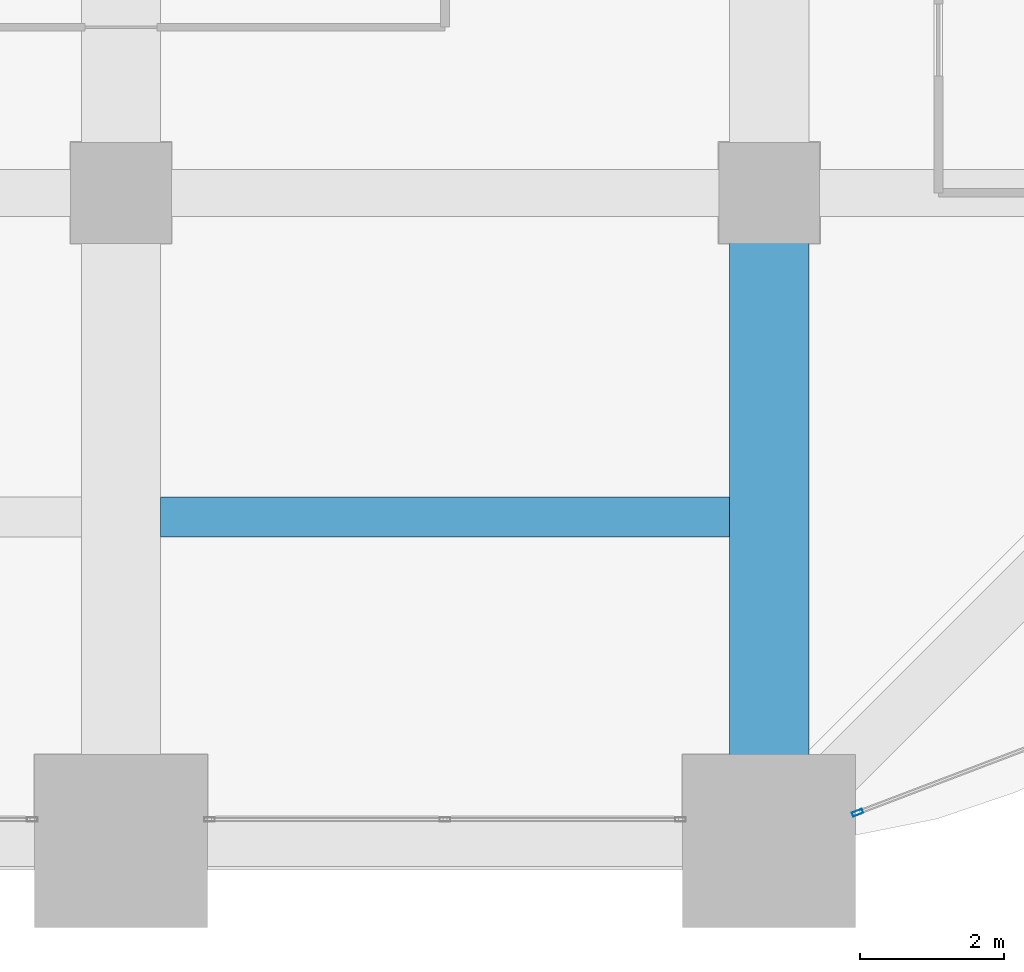
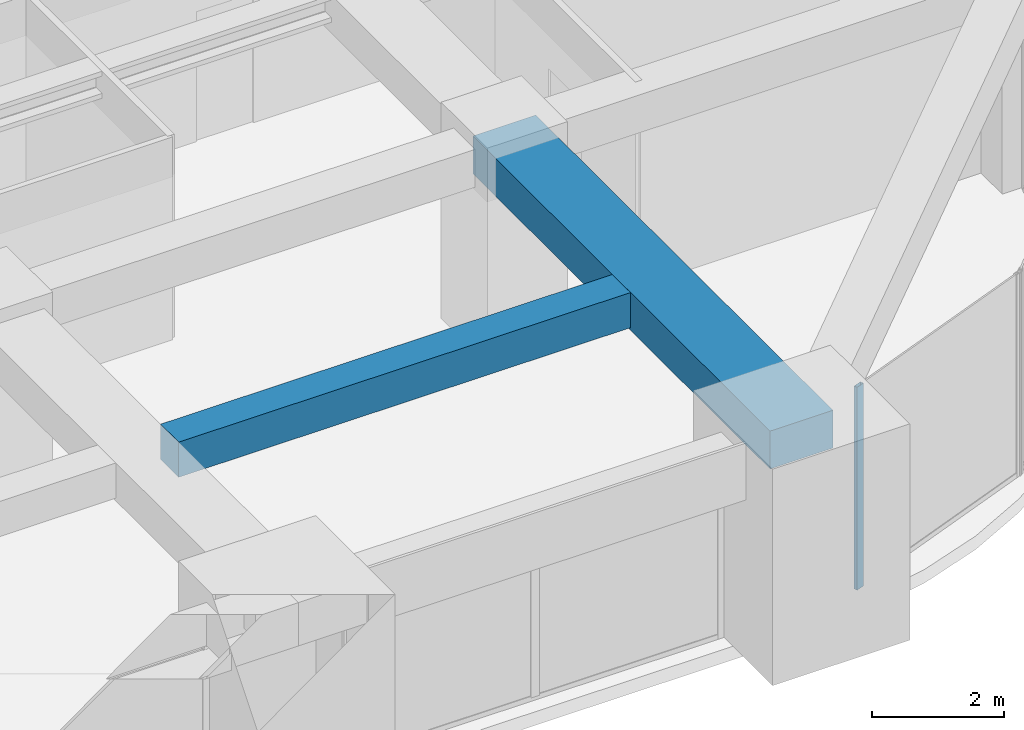
# One storey, part 14 of 32: 2 beams, 1 member, 1 element without a shape of its own.
"""IFC4 building model written with IfcOpenShell, lengths in metres."""

from ifc_helpers import new_model, si_unit, direction, frame, origin, origin_2d, place, context, subcontext, project, spatial, rectangle, hollow_rectangle, extrude, material, material_profile, profile_set, type_object, element, aggregate, save


model = new_model("IFC4")

# Units and contexts
model_context = context("Model", 3, precision=1e-05, world=origin(), true_north=direction((0.0, 1.0)))
body_context = subcontext(model_context, "Body", "Model", "MODEL_VIEW")
ifc_project = project(units=[si_unit("LENGTHUNIT", "METRE"), si_unit("AREAUNIT", "SQUARE_METRE"), si_unit("VOLUMEUNIT", "CUBIC_METRE"), si_unit("PLANEANGLEUNIT", "RADIAN"), si_unit("MASSUNIT", "GRAM", prefix="KILO")], contexts=[model_context])

# Site, building, storey
site_placement = place(None, origin())
site = spatial("IfcSite", under=ifc_project, at=site_placement, CompositionType="ELEMENT")
building_placement = place(site_placement, origin())
building = spatial("IfcBuilding", under=site, at=building_placement, Name="Zorevar Civic Tower", CompositionType="ELEMENT")
storey_placement = place(building_placement, frame((0.0, 0.0, 198.199951171875)))
storey = spatial("IfcBuildingStorey", under=building, at=storey_placement, Name="L48", CompositionType="ELEMENT", Elevation=198.199951171875)

# Beams
ifc_material_1 = material(Name="Concrete C50/60", Category="concrete")
ifc_material_profile_1 = material_profile(ifc_material_1, rectangle(XDim=1.10009765625, YDim=0.699951171875, at=origin_2d()), Name="RC 1100x700")
ifc_profile_set_1 = profile_set([ifc_material_profile_1], Name="Concrete C50/60")
beam_type_1 = type_object("IfcBeamType", Name="Beam RC 1100x700", PredefinedType="BEAM", material=ifc_profile_set_1)
beam_1_placement = place(storey_placement, frame((45.0, 0.0, 3.400146484375), z_axis=(0.0, 1.0, 0.0), x_axis=(-1.0, 0.0, 0.0)))
element("IfcBeam", 1, at=beam_1_placement, inside=storey, type_object=beam_type_1, Name="Girder L49", PredefinedType="BEAM", context=body_context, shape_type="SweptSolid", body=[
    extrude(rectangle(XDim=1.10009765625, YDim=0.699951171875, at=origin_2d()), origin(), (0.0, 0.0, 1.0), 9.0),
])
ifc_material_2 = material(Name="Concrete C50/60", Category="concrete")
ifc_material_profile_2 = material_profile(ifc_material_2, rectangle(XDim=0.550048828125, YDim=0.64990234375, at=origin_2d()), Name="RC 550x650")
ifc_profile_set_2 = profile_set([ifc_material_profile_2], Name="Concrete C50/60")
beam_type_2 = type_object("IfcBeamType", Name="Beam RC 550x650", PredefinedType="BEAM", material=ifc_profile_set_2)
beam_2_placement = place(storey_placement, frame((36.550048828125, 4.5, 3.425048828125), z_axis=(1.0, 0.0, 0.0), x_axis=(0.0, 1.0, 0.0)))
element("IfcBeam", 2, at=beam_2_placement, inside=storey, type_object=beam_type_2, Name="Secondary beam L49", PredefinedType="BEAM", context=body_context, shape_type="SweptSolid", body=[
    extrude(rectangle(XDim=0.550048828125, YDim=0.64990234375, at=origin_2d()), origin(), (0.0, 0.0, 1.0), 7.89990234375),
])

# Curtain wall, member
ifc_material_3 = material(Name="Dark grey solar-control glass in black aluminium frame", Category="aluminium")
curtain_wall_type = type_object("IfcCurtainWallType", Name="Curtain wall CW4 high zone", PredefinedType="NOTDEFINED", material=ifc_material_3)
curtain_wall_placement = place(storey_placement, origin())
curtain_wall = element("IfcCurtainWall", 3, at=curtain_wall_placement, inside=storey, type_object=curtain_wall_type, Name="CW4 L48", PredefinedType="NOTDEFINED")
ifc_material_4 = material(Name="Aluminium, black anodised", Category="aluminium")
ifc_material_profile_3 = material_profile(ifc_material_4, hollow_rectangle(XDim=0.06005859375, YDim=0.14990234375, WallThickness=0.00390625, at=origin_2d()), Name="AL 150x60x4")
ifc_profile_set_3 = profile_set([ifc_material_profile_3], Name="Aluminium, black anodised")
member_type = type_object("IfcMemberType", Name="CW4 mullion AL 150x60x4", PredefinedType="MULLION", material=ifc_profile_set_3)
member_placement = place(storey_placement, frame((46.22802734375, 0.393798828125, 0.0), z_axis=(0.0, 0.0, 1.0), x_axis=(-0.355730895803, 0.93458842801, 0.0)))
member = element("IfcMember", 4, at=member_placement, type_object=member_type, Name="CW4 mullion 1", PredefinedType="MULLION", context=body_context, shape_type="SweptSolid", body=[
    extrude(hollow_rectangle(XDim=0.06005859375, YDim=0.14990234375, WallThickness=0.00390625, at=origin_2d()), origin(), (0.0, 0.0, 1.0), 3.75),
])
aggregate(curtain_wall, [member])

save(model, "model.ifc")
